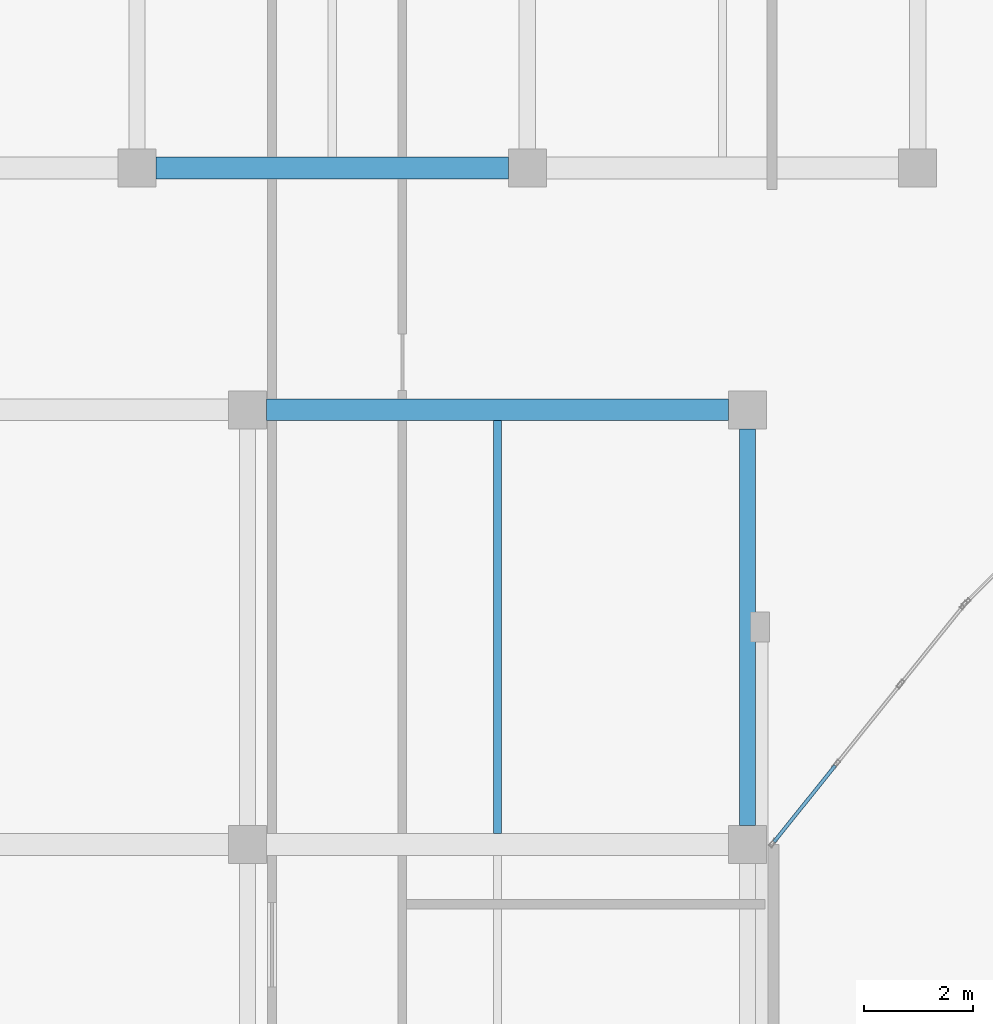
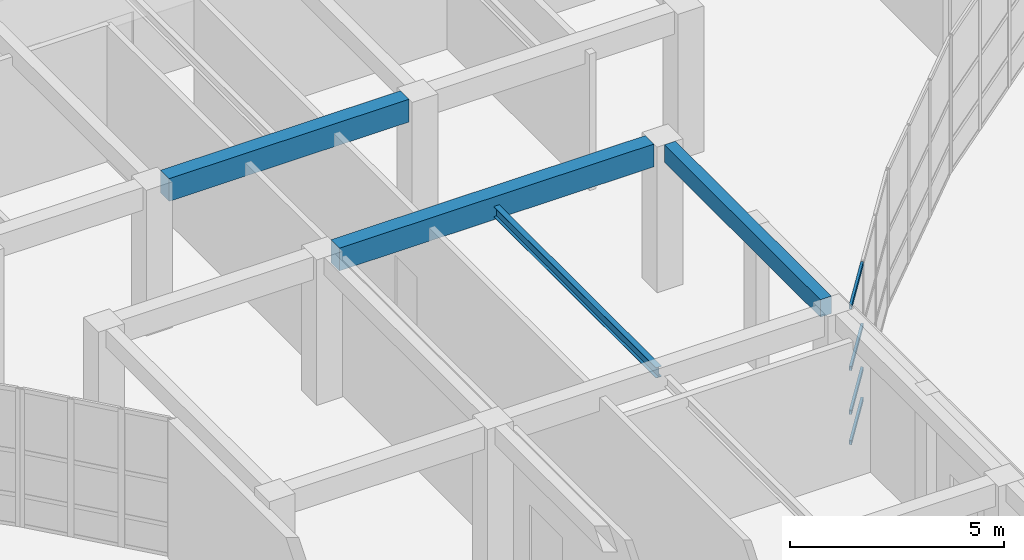
# One storey, part 39 of 114: 4 beams, 4 members, 1 element without a shape of its own.
"""IFC4 building model written with IfcOpenShell, lengths in metres."""

from ifc_helpers import new_model, si_unit, direction, frame, origin, origin_2d, place, context, subcontext, project, spatial, rectangle, hollow_rectangle, i_section, extrude, material, layer, layer_set, material_profile, profile_set, type_object, element, aggregate, save


model = new_model("IFC4")

# Units and contexts
model_context = context("Model", 3, precision=1e-05, world=origin(), true_north=direction((0.0, 1.0)))
body_context = subcontext(model_context, "Body", "Model", "MODEL_VIEW")
ifc_project = project(units=[si_unit("LENGTHUNIT", "METRE"), si_unit("AREAUNIT", "SQUARE_METRE"), si_unit("VOLUMEUNIT", "CUBIC_METRE"), si_unit("PLANEANGLEUNIT", "RADIAN"), si_unit("MASSUNIT", "GRAM", prefix="KILO")], contexts=[model_context])

# Site, building, storey
site_placement = place(None, origin())
site = spatial("IfcSite", under=ifc_project, at=site_placement, CompositionType="ELEMENT")
building_placement = place(site_placement, origin())
building = spatial("IfcBuilding", under=site, at=building_placement, Name="Keldmere Railside Commons", CompositionType="ELEMENT")
storey_placement = place(building_placement, origin())
storey = spatial("IfcBuildingStorey", under=building, at=storey_placement, Name="L00", CompositionType="ELEMENT", Elevation=0.0)

# Beams
ifc_material_1 = material(Name="Steel F-36 (S355)", Category="steel")
ifc_material_profile_1 = material_profile(ifc_material_1, i_section(OverallWidth=0.14990234375, OverallDepth=0.300048828125, WebThickness=0.007080078125, FlangeThickness=0.0107421875, at=origin_2d()), Name="IPE-300")
ifc_profile_set_1 = profile_set([ifc_material_profile_1], Name="Steel F-36 (S355)")
beam_type_1 = type_object("IfcBeamType", Name="Podium & Arcade Steel Joist IPE300", PredefinedType="JOIST", material=ifc_profile_set_1)
beam_1_placement = place(storey_placement, frame((114.949951171875, 88.199951171875, 3.739990234375), z_axis=(0.0, 1.0, 0.0), x_axis=(-1.0, 0.0, 0.0)))
element("IfcBeam", 1, at=beam_1_placement, inside=storey, type_object=beam_type_1, Name="JST-1 BM-L00-0710", PredefinedType="JOIST", context=body_context, shape_type="SweptSolid", body=[
    extrude(i_section(OverallWidth=0.14990234375, OverallDepth=0.300048828125, WebThickness=0.007080078125, FlangeThickness=0.0107421875, at=origin_2d()), origin(), (0.0, 0.0, 1.0), 7.60009765625),
])
ifc_material_2 = material(Name="Concrete H-30 (C30/37)", Category="concrete")
ifc_material_profile_2 = material_profile(ifc_material_2, rectangle(XDim=0.39990234375, YDim=0.64990234375, at=origin_2d()), Name="RC-400x650")
ifc_profile_set_2 = profile_set([ifc_material_profile_2], Name="Concrete H-30 (C30/37)")
beam_type_2 = type_object("IfcBeamType", Name="Residential Spine RC Girder 400x650", PredefinedType="BEAM", material=ifc_profile_set_2)
beam_2_placement = place(storey_placement, frame((110.699951171875, 96.0, 3.8349609375), z_axis=(1.0, 0.0, 0.0), x_axis=(0.0, 1.0, 0.0)))
element("IfcBeam", 2, at=beam_2_placement, inside=storey, type_object=beam_type_2, Name="BG-3 BM-L00-0496", PredefinedType="BEAM", context=body_context, shape_type="SweptSolid", body=[
    extrude(rectangle(XDim=0.39990234375, YDim=0.64990234375, at=origin_2d()), origin(), (0.0, 0.0, 1.0), 8.5),
])
beam_3_placement = place(storey_placement, frame((108.6669921875, 100.449951171875, 3.8349609375), z_axis=(1.0, 0.0, 0.0), x_axis=(0.0, 1.0, 0.0)))
element("IfcBeam", 3, at=beam_3_placement, inside=storey, type_object=beam_type_2, Name="BG-3 BM-L00-0505", PredefinedType="BEAM", context=body_context, shape_type="SweptSolid", body=[
    extrude(rectangle(XDim=0.39990234375, YDim=0.64990234375, at=origin_2d()), origin(), (0.0, 0.0, 1.0), 6.48291015625),
])
ifc_material_profile_3 = material_profile(ifc_material_2, rectangle(XDim=0.300048828125, YDim=0.5, at=origin_2d()), Name="RC-300x500")
ifc_profile_set_3 = profile_set([ifc_material_profile_3], Name="Concrete H-30 (C30/37)")
beam_type_3 = type_object("IfcBeamType", Name="Secondary Frame RC Beam 300x500", PredefinedType="BEAM", material=ifc_profile_set_3)
beam_4_placement = place(storey_placement, frame((119.550048828125, 88.35009765625, 3.909912109375), z_axis=(0.0, 1.0, 0.0), x_axis=(-1.0, 0.0, 0.0)))
element("IfcBeam", 4, at=beam_4_placement, inside=storey, type_object=beam_type_3, Name="BG-5 BM-L00-0625", PredefinedType="BEAM", context=body_context, shape_type="SweptSolid", body=[
    extrude(rectangle(XDim=0.300048828125, YDim=0.5, at=origin_2d()), origin(), (0.0, 0.0, 1.0), 7.2998046875),
])

# Curtain wall, members
ifc_material_3 = material(Name="Thermally Broken Aluminium", Category="aluminium")
ifc_layer = layer(ifc_material_3, 0.159912109375, Name="Residential Ground Entrance Lobby CW 4000x3600")
ifc_layer_set = layer_set([ifc_layer], Name="Thermally Broken Aluminium")
curtain_wall_type = type_object("IfcCurtainWallType", Name="Residential Ground Entrance Lobby CW 4000x3600", PredefinedType="NOTDEFINED", material=ifc_layer_set)
curtain_wall_placement = place(storey_placement, origin())
curtain_wall = element("IfcCurtainWall", 5, at=curtain_wall_placement, inside=storey, type_object=curtain_wall_type, Name="CW-10 CW-L00-085", PredefinedType="NOTDEFINED")
ifc_material_profile_4 = material_profile(ifc_material_3, hollow_rectangle(XDim=0.06494140625, YDim=0.1201171875, WallThickness=0.00390625, at=origin_2d()), Name="ALU-TRAN-65x120")
ifc_profile_set_4 = profile_set([ifc_material_profile_4], Name="Thermally Broken Aluminium")
member_type = type_object("IfcMemberType", Name="Unitised Curtain Wall Transom 65x120", PredefinedType="USERDEFINED", material=ifc_profile_set_4)
member_1_placement = place(storey_placement, frame((121.164306640625, 89.451416015625, 0.032470703125), z_axis=(-0.625722553313, -0.780045694992, 0.0), x_axis=(0.780045694992, -0.625722553313, 0.0)))
member_1 = element("IfcMember", 6, at=member_1_placement, type_object=member_type, Name="CW-10 transom 3.1", ObjectType="TRANSOM", PredefinedType="USERDEFINED", context=body_context, shape_type="SweptSolid", body=[
    extrude(hollow_rectangle(XDim=0.06494140625, YDim=0.1201171875, WallThickness=0.00390625, at=origin_2d()), origin(), (0.0, 0.0, 1.0), 1.795654296875),
])
member_2_placement = place(storey_placement, frame((121.164306640625, 89.451416015625, 0.89990234375), z_axis=(-0.625722553313, -0.780045694992, 0.0), x_axis=(0.780045694992, -0.625722553313, 0.0)))
member_2 = element("IfcMember", 7, at=member_2_placement, type_object=member_type, Name="CW-10 transom 3.2", ObjectType="TRANSOM", PredefinedType="USERDEFINED", context=body_context, shape_type="SweptSolid", body=[
    extrude(hollow_rectangle(XDim=0.06494140625, YDim=0.1201171875, WallThickness=0.00390625, at=origin_2d()), origin(), (0.0, 0.0, 1.0), 1.795654296875),
])
member_3_placement = place(storey_placement, frame((121.164306640625, 89.451416015625, 2.14990234375), z_axis=(-0.625722553313, -0.780045694992, 0.0), x_axis=(0.780045694992, -0.625722553313, 0.0)))
member_3 = element("IfcMember", 8, at=member_3_placement, type_object=member_type, Name="CW-10 transom 3.3", ObjectType="TRANSOM", PredefinedType="USERDEFINED", context=body_context, shape_type="SweptSolid", body=[
    extrude(hollow_rectangle(XDim=0.06494140625, YDim=0.1201171875, WallThickness=0.00390625, at=origin_2d()), origin(), (0.0, 0.0, 1.0), 1.795654296875),
])
member_4_placement = place(storey_placement, frame((121.164306640625, 89.451416015625, 3.907470703125), z_axis=(-0.625722553313, -0.780045694992, 0.0), x_axis=(0.780045694992, -0.625722553313, 0.0)))
member_4 = element("IfcMember", 9, at=member_4_placement, type_object=member_type, Name="CW-10 transom 3.4", ObjectType="TRANSOM", PredefinedType="USERDEFINED", context=body_context, shape_type="SweptSolid", body=[
    extrude(hollow_rectangle(XDim=0.06494140625, YDim=0.1201171875, WallThickness=0.00390625, at=origin_2d()), origin(), (0.0, 0.0, 1.0), 1.795654296875),
])
aggregate(curtain_wall, [member_1, member_2, member_3, member_4])

save(model, "model.ifc")
